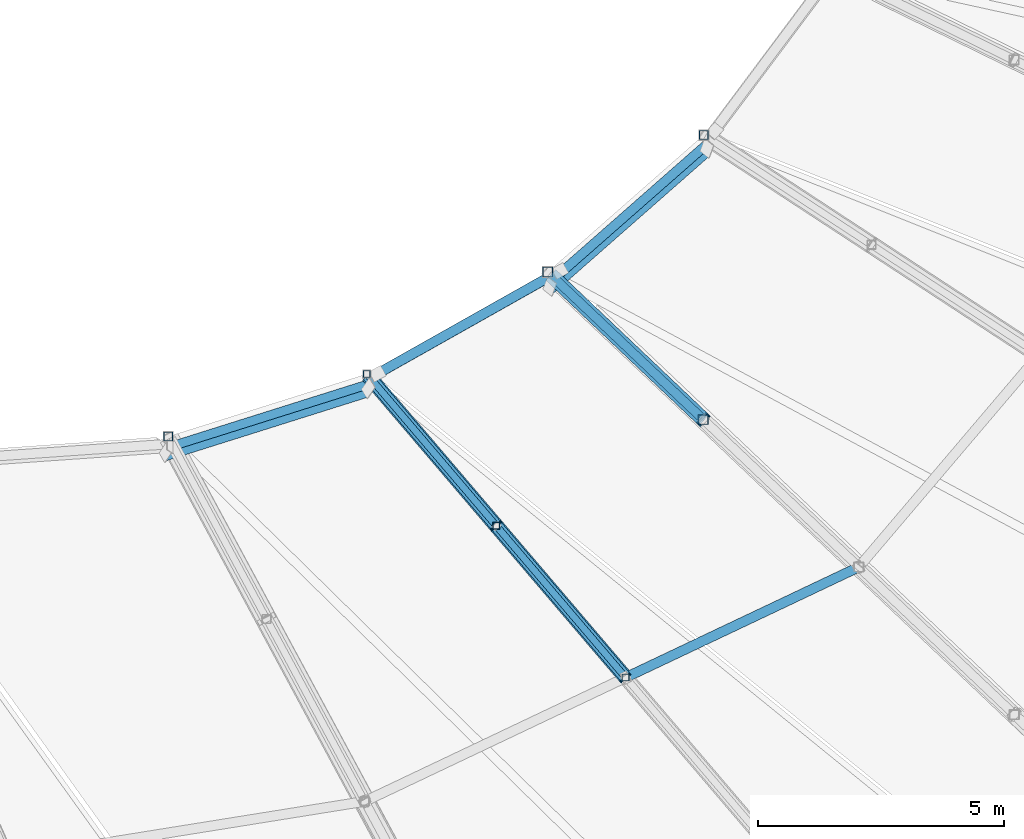
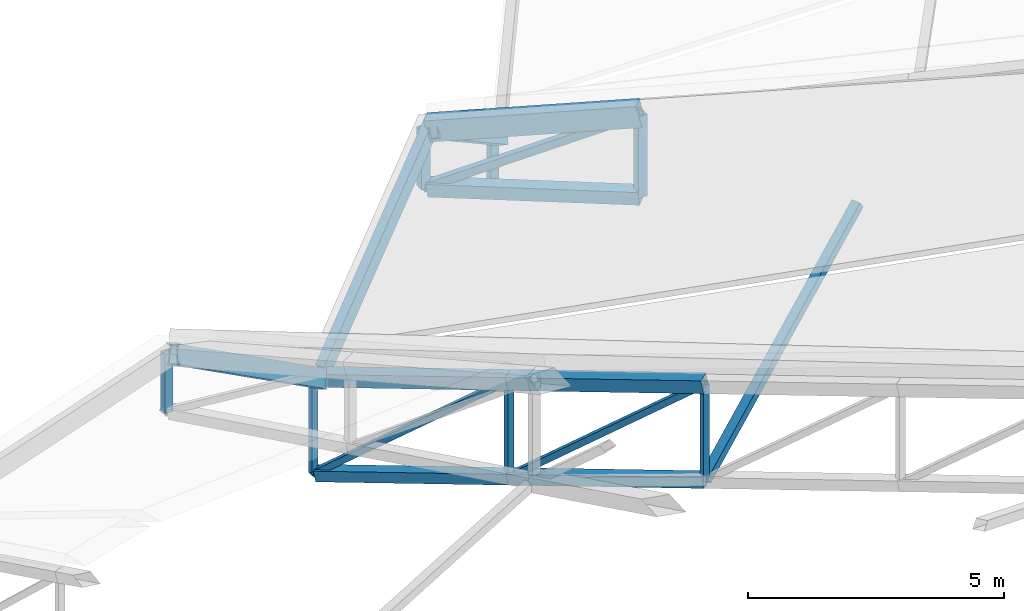
# One storey, part 83 of 344: 17 members, 3 beams.
"""IFC4 building model written with IfcOpenShell, lengths in metres."""

from ifc_helpers import new_model, si_unit, direction, frame, origin, origin_2d, place, context, subcontext, project, spatial, hollow_rectangle, extrude, material, material_profile, profile_set, type_object, element, save


model = new_model("IFC4")

# Units and contexts
model_context = context("Model", 3, precision=1e-05, world=origin(), true_north=direction((0.0, 1.0)))
body_context = subcontext(model_context, "Body", "Model", "MODEL_VIEW")
ifc_project = project(units=[si_unit("LENGTHUNIT", "METRE"), si_unit("AREAUNIT", "SQUARE_METRE"), si_unit("VOLUMEUNIT", "CUBIC_METRE"), si_unit("PLANEANGLEUNIT", "RADIAN"), si_unit("MASSUNIT", "GRAM", prefix="KILO")], contexts=[model_context])

# Site, building, storey
site_placement = place(None, origin())
site = spatial("IfcSite", under=ifc_project, at=site_placement, CompositionType="ELEMENT")
building_placement = place(site_placement, origin())
building = spatial("IfcBuilding", under=site, at=building_placement, Name="Meseta Stadium", CompositionType="ELEMENT")
storey_placement = place(building_placement, frame((0.0, 0.0, 24.0)))
storey = spatial("IfcBuildingStorey", under=building, at=storey_placement, Name="L04", CompositionType="ELEMENT", Elevation=24.0)

# Beams
ifc_material_1 = material(Name="Steel S355", Category="steel")
ifc_material_profile_1 = material_profile(ifc_material_1, hollow_rectangle(XDim=0.199951171875, YDim=0.39990234375, WallThickness=0.01611328125, at=origin_2d()), Name="RHS 400x200x16")
ifc_profile_set_1 = profile_set([ifc_material_profile_1], Name="Steel S355")
beam_type = type_object("IfcBeamType", Name="RHS 400x200x16 tip ring beam", PredefinedType="BEAM", material=ifc_profile_set_1)
beam_1_placement = place(storey_placement, frame((30.645751953125, -65.4140625, 3.492919921875), z_axis=(0.799095724949, 0.251770537172, -0.54594653491), x_axis=(-0.480828392097, 0.81276404936, -0.32896604296)))
element("IfcBeam", 1, at=beam_1_placement, inside=storey, type_object=beam_type, Name="TIP RING BEAM 51", PredefinedType="BEAM", context=body_context, shape_type="SweptSolid", body=[
    extrude(hollow_rectangle(XDim=0.199951171875, YDim=0.39990234375, WallThickness=0.01611328125, at=origin_2d()), origin(), (0.0, 0.0, 1.0), 5.135498046875),
])
beam_2_placement = place(storey_placement, frame((34.941650390625, -63.822509765625, 0.665771484375), z_axis=(0.680193224368, 0.383153067773, 0.62492471881), x_axis=(-0.487084675423, 0.873338681579, -0.005297756731)))
element("IfcBeam", 2, at=beam_2_placement, inside=storey, type_object=beam_type, Name="TIP RING BEAM 52", PredefinedType="BEAM", context=body_context, shape_type="SweptSolid", body=[
    extrude(hollow_rectangle(XDim=0.199951171875, YDim=0.39990234375, WallThickness=0.01611328125, at=origin_2d()), origin(), (0.0, 0.0, 1.0), 5.437744140625),
])
beam_3_placement = place(storey_placement, frame((38.456298828125, -62.0361328125, 4.0947265625), z_axis=(0.615345176385, 0.540726437381, -0.573554909155), x_axis=(-0.759396114, 0.601747460193, -0.247421777927)))
element("IfcBeam", 3, at=beam_3_placement, inside=storey, type_object=beam_type, Name="TIP RING BEAM 53", PredefinedType="BEAM", context=body_context, shape_type="SweptSolid", body=[
    extrude(hollow_rectangle(XDim=0.199951171875, YDim=0.39990234375, WallThickness=0.01611328125, at=origin_2d()), origin(), (0.0, 0.0, 1.0), 5.176025390625),
])

# Members
ifc_material_2 = material(Name="Steel S355", Category="steel")
ifc_material_profile_2 = material_profile(ifc_material_2, hollow_rectangle(XDim=0.300048828125, YDim=0.5, WallThickness=0.01611328125, at=origin_2d()), Name="RHS 500x300x16")
ifc_profile_set_2 = profile_set([ifc_material_profile_2], Name="Steel S355")
member_type_1 = type_object("IfcMemberType", Name="RHS 500x300x16 top chord", PredefinedType="CHORD", material=ifc_profile_set_2)
member_1_placement = place(storey_placement, frame((38.4765625, -61.819091796875, 3.982177734375), z_axis=(0.704897663376, -0.668535218838, 0.237023090312), x_axis=(0.688144575089, 0.725573596388, 0.0)))
element("IfcMember", 4, at=member_1_placement, inside=storey, type_object=member_type_1, Name="ROOF TRUSS RT-52 top chord", PredefinedType="CHORD", context=body_context, shape_type="SweptSolid", body=[
    extrude(hollow_rectangle(XDim=0.300048828125, YDim=0.5, WallThickness=0.01611328125, at=origin_2d()), origin(), (0.0, 0.0, 1.0), 4.39111328125),
])
ifc_material_3 = material(Name="Steel S355", Category="steel")
ifc_material_profile_3 = material_profile(ifc_material_3, hollow_rectangle(XDim=0.139892578125, YDim=0.139892578125, WallThickness=0.0048828125, at=origin_2d()), Name="SHS 140x140x5")
ifc_profile_set_3 = profile_set([ifc_material_profile_3], Name="Steel S355")
member_type_2 = type_object("IfcMemberType", Name="SHS 140x140x5 diagonal", PredefinedType="BRACE", material=ifc_profile_set_3)
for number, where, z_axis, x_axis, name in (
    (5, (34.722412109375, -63.827392578125, -1.733642578125), (0.51129008099, -0.599561179209, 0.615718154245), (0.760896819388, 0.64887289221, 0.0), "ROOF TRUSS RT-51 diagonal"),
    (6, (37.35693359375, -66.916748046875, -0.861083984375), (0.511354517363, -0.59953379431, 0.615691308248), (0.760841810831, 0.64893739212, 0.0), "ROOF TRUSS RT-51 diagonal"),
):
    element("IfcMember", number, at=place(storey_placement, frame(where, z_axis=z_axis, x_axis=x_axis)), inside=storey, type_object=member_type_2, Name=name, PredefinedType="BRACE", context=body_context, shape_type="SweptSolid", body=[
        extrude(hollow_rectangle(XDim=0.139892578125, YDim=0.139892578125, WallThickness=0.0048828125, at=origin_2d()), origin(), (0.0, 0.0, 1.0), 5.152587890625),
    ])
ifc_material_4 = material(Name="Steel S355", Category="steel")
ifc_material_profile_4 = material_profile(ifc_material_4, hollow_rectangle(XDim=0.139892578125, YDim=0.139892578125, WallThickness=0.0048828125, at=origin_2d()), Name="SHS 140x140x5")
ifc_profile_set_4 = profile_set([ifc_material_profile_4], Name="Steel S355")
member_type_3 = type_object("IfcMemberType", Name="SHS 140x140x5 post", PredefinedType="POST", material=ifc_profile_set_4)
for number, where, z_axis, x_axis, name in (
    (7, (37.35693359375, -66.916748046875, -0.861083984375), (0.0, 0.0, 1.0), (1.0, 0.0, 0.0), "ROOF TRUSS RT-51 post"),
    (8, (39.99169921875, -70.005859375, 0.01123046875), (0.0, 0.0, 1.0), (1.0, 0.0, 0.0), "ROOF TRUSS RT-51 post"),
):
    element("IfcMember", number, at=place(storey_placement, frame(where, z_axis=z_axis, x_axis=x_axis)), inside=storey, type_object=member_type_3, Name=name, PredefinedType="POST", context=body_context, shape_type="SweptSolid", body=[
        extrude(hollow_rectangle(XDim=0.139892578125, YDim=0.139892578125, WallThickness=0.0048828125, at=origin_2d()), origin(), (0.0, 0.0, 1.0), 2.300048828125),
    ])
ifc_material_5 = material(Name="Steel S355", Category="steel")
ifc_material_profile_5 = material_profile(ifc_material_5, hollow_rectangle(XDim=0.139892578125, YDim=0.139892578125, WallThickness=0.0048828125, at=origin_2d()), Name="SHS 140x140x5")
ifc_profile_set_5 = profile_set([ifc_material_profile_5], Name="Steel S355")
member_type_4 = type_object("IfcMemberType", Name="SHS 140x140x5 rim post", PredefinedType="POST", material=ifc_profile_set_5)
member_2_placement = place(storey_placement, frame((34.722412109375, -63.827392578125, -1.733642578125), z_axis=(0.0, 0.0, 1.0), x_axis=(1.0, 0.0, 0.0)))
element("IfcMember", 9, at=member_2_placement, inside=storey, type_object=member_type_4, Name="ROOF TRUSS RT-51 post", PredefinedType="POST", context=body_context, shape_type="SweptSolid", body=[
    extrude(hollow_rectangle(XDim=0.139892578125, YDim=0.139892578125, WallThickness=0.0048828125, at=origin_2d()), origin(), (0.0, 0.0, 1.0), 2.300048828125),
])
ifc_material_6 = material(Name="Steel S355", Category="steel")
ifc_material_profile_6 = material_profile(ifc_material_6, hollow_rectangle(XDim=0.179931640625, YDim=0.179931640625, WallThickness=0.00634765625, at=origin_2d()), Name="SHS 180x180x6.3")
ifc_profile_set_6 = profile_set([ifc_material_profile_6], Name="Steel S355")
member_type_5 = type_object("IfcMemberType", Name="SHS 180x180x6.3 diagonal", PredefinedType="BRACE", material=ifc_profile_set_6)
member_3_placement = place(storey_placement, frame((38.40625, -61.752197265625, 2.55859375), z_axis=(0.631739033936, -0.59919224428, 0.491807327514), x_axis=(0.688169809663, 0.725549662717, 0.0)))
element("IfcMember", 10, at=member_3_placement, inside=storey, type_object=member_type_5, Name="ROOF TRUSS RT-52 diagonal", PredefinedType="BRACE", context=body_context, shape_type="SweptSolid", body=[
    extrude(hollow_rectangle(XDim=0.179931640625, YDim=0.179931640625, WallThickness=0.00634765625, at=origin_2d()), origin(), (0.0, 0.0, 1.0), 5.0107421875),
])
ifc_material_7 = material(Name="Steel S355", Category="steel")
ifc_material_profile_7 = material_profile(ifc_material_7, hollow_rectangle(XDim=0.179931640625, YDim=0.179931640625, WallThickness=0.00634765625, at=origin_2d()), Name="SHS 180x180x6.3")
ifc_profile_set_7 = profile_set([ifc_material_profile_7], Name="Steel S355")
member_type_6 = type_object("IfcMemberType", Name="SHS 180x180x6.3 rim post", PredefinedType="POST", material=ifc_profile_set_7)
member_4_placement = place(storey_placement, frame((30.68212890625, -65.100341796875, 1.9443359375), z_axis=(0.0, 0.0, 1.0), x_axis=(1.0, 0.0, 0.0)))
element("IfcMember", 11, at=member_4_placement, inside=storey, type_object=member_type_6, Name="ROOF TRUSS RT-50 post", PredefinedType="POST", context=body_context, shape_type="SweptSolid", body=[
    extrude(hollow_rectangle(XDim=0.179931640625, YDim=0.179931640625, WallThickness=0.00634765625, at=origin_2d()), origin(), (0.0, 0.0, 1.0), 1.400146484375),
])
member_5_placement = place(storey_placement, frame((41.57958984375, -58.963623046875, -0.331298828125), z_axis=(0.0, 0.0, 1.0), x_axis=(1.0, 0.0, 0.0)))
element("IfcMember", 12, at=member_5_placement, inside=storey, type_object=member_type_6, Name="ROOF TRUSS RT-53 post", PredefinedType="POST", context=body_context, shape_type="SweptSolid", body=[
    extrude(hollow_rectangle(XDim=0.179931640625, YDim=0.179931640625, WallThickness=0.00634765625, at=origin_2d()), origin(), (0.0, 0.0, 1.0), 1.300048828125),
])
ifc_material_8 = material(Name="Steel S355", Category="steel")
ifc_material_profile_8 = material_profile(ifc_material_8, hollow_rectangle(XDim=0.199951171875, YDim=0.199951171875, WallThickness=0.008056640625, at=origin_2d()), Name="SHS 200x200x8")
ifc_profile_set_8 = profile_set([ifc_material_profile_8], Name="Steel S355")
member_type_7 = type_object("IfcMemberType", Name="SHS 200x200x8 post", PredefinedType="POST", material=ifc_profile_set_8)
member_6_placement = place(storey_placement, frame((41.57177734375, -64.754638671875, 3.07080078125), z_axis=(0.0, 0.0, 1.0), x_axis=(1.0, 0.0, 0.0)))
element("IfcMember", 13, at=member_6_placement, inside=storey, type_object=member_type_7, Name="ROOF TRUSS RT-52 post", PredefinedType="POST", context=body_context, shape_type="SweptSolid", body=[
    extrude(hollow_rectangle(XDim=0.199951171875, YDim=0.199951171875, WallThickness=0.008056640625, at=origin_2d()), origin(), (0.0, 0.0, 1.0), 1.9521484375),
])
ifc_material_9 = material(Name="Steel S355", Category="steel")
ifc_material_profile_9 = material_profile(ifc_material_9, hollow_rectangle(XDim=0.199951171875, YDim=0.199951171875, WallThickness=0.008056640625, at=origin_2d()), Name="SHS 200x200x8")
ifc_profile_set_9 = profile_set([ifc_material_profile_9], Name="Steel S355")
member_type_8 = type_object("IfcMemberType", Name="SHS 200x200x8 rim post", PredefinedType="POST", material=ifc_profile_set_9)
member_7_placement = place(storey_placement, frame((38.40625, -61.752197265625, 2.55859375), z_axis=(0.0, 0.0, 1.0), x_axis=(1.0, 0.0, 0.0)))
element("IfcMember", 14, at=member_7_placement, inside=storey, type_object=member_type_8, Name="ROOF TRUSS RT-52 post", PredefinedType="POST", context=body_context, shape_type="SweptSolid", body=[
    extrude(hollow_rectangle(XDim=0.199951171875, YDim=0.199951171875, WallThickness=0.008056640625, at=origin_2d()), origin(), (0.0, 0.0, 1.0), 1.39990234375),
])
ifc_material_10 = material(Name="Steel S355", Category="steel")
ifc_material_profile_10 = material_profile(ifc_material_10, hollow_rectangle(XDim=0.199951171875, YDim=0.199951171875, WallThickness=0.008056640625, at=origin_2d()), Name="SHS 200x200x8")
ifc_profile_set_10 = profile_set([ifc_material_profile_10], Name="Steel S355")
member_type_9 = type_object("IfcMemberType", Name="SHS 200x200x8 strut", PredefinedType="STRUT", material=ifc_profile_set_10)
member_8_placement = place(storey_placement, frame((39.99169921875, -70.005859375, 0.01123046875), z_axis=(0.747193853517, 0.354107921525, 0.562413482396), x_axis=(-0.428258199663, 0.903656413922, 0.0)))
element("IfcMember", 15, at=member_8_placement, inside=storey, type_object=member_type_9, Name="ROOF TRUSS STRUT RT-51/52", PredefinedType="STRUT", context=body_context, shape_type="SweptSolid", body=[
    extrude(hollow_rectangle(XDim=0.199951171875, YDim=0.199951171875, WallThickness=0.008056640625, at=origin_2d()), origin(), (0.0, 0.0, 1.0), 6.351318359375),
])
ifc_material_11 = material(Name="Steel S355", Category="steel")
ifc_material_profile_11 = material_profile(ifc_material_11, hollow_rectangle(XDim=0.25, YDim=0.25, WallThickness=0.010009765625, at=origin_2d()), Name="SHS 250x250x10")
ifc_profile_set_11 = profile_set([ifc_material_profile_11], Name="Steel S355")
member_type_10 = type_object("IfcMemberType", Name="SHS 250x250x10 bottom chord", PredefinedType="CHORD", material=ifc_profile_set_11)
member_9_placement = place(storey_placement, frame((34.766845703125, -63.87939453125, -1.71875), z_axis=(0.634382356609, -0.743929767044, 0.210065531037), x_axis=(0.760907665245, 0.648860173667, 0.0)))
element("IfcMember", 16, at=member_9_placement, inside=storey, type_object=member_type_10, Name="ROOF TRUSS RT-51 bottom chord", PredefinedType="CHORD", context=body_context, shape_type="SweptSolid", body=[
    extrude(hollow_rectangle(XDim=0.25, YDim=0.25, WallThickness=0.010009765625, at=origin_2d()), origin(), (0.0, 0.0, 1.0), 4.082763671875),
])
member_10_placement = place(storey_placement, frame((37.35693359375, -66.916748046875, -0.861083984375), z_axis=(0.634459201968, -0.74386696465, 0.210055849577), x_axis=(0.760841810831, 0.64893739212, 0.0)))
element("IfcMember", 17, at=member_10_placement, inside=storey, type_object=member_type_10, Name="ROOF TRUSS RT-51 bottom chord", PredefinedType="CHORD", context=body_context, shape_type="SweptSolid", body=[
    extrude(hollow_rectangle(XDim=0.25, YDim=0.25, WallThickness=0.010009765625, at=origin_2d()), origin(), (0.0, 0.0, 1.0), 4.15283203125),
])
ifc_material_12 = material(Name="Steel S355", Category="steel")
ifc_material_profile_12 = material_profile(ifc_material_12, hollow_rectangle(XDim=0.300048828125, YDim=0.300048828125, WallThickness=0.010009765625, at=origin_2d()), Name="SHS 300x300x10")
ifc_profile_set_12 = profile_set([ifc_material_profile_12], Name="Steel S355")
member_type_11 = type_object("IfcMemberType", Name="SHS 300x300x10 bottom chord", PredefinedType="CHORD", material=ifc_profile_set_12)
member_11_placement = place(storey_placement, frame((38.478271484375, -61.820556640625, 2.5703125), z_axis=(0.720607583037, -0.683471070392, 0.116584764046), x_axis=(0.688163834872, 0.725555329644, 0.0)))
element("IfcMember", 18, at=member_11_placement, inside=storey, type_object=member_type_11, Name="ROOF TRUSS RT-52 bottom chord", PredefinedType="CHORD", context=body_context, shape_type="SweptSolid", body=[
    extrude(hollow_rectangle(XDim=0.300048828125, YDim=0.300048828125, WallThickness=0.010009765625, at=origin_2d()), origin(), (0.0, 0.0, 1.0), 4.29296875),
])
ifc_material_13 = material(Name="Steel S355", Category="steel")
ifc_material_profile_13 = material_profile(ifc_material_13, hollow_rectangle(XDim=0.300048828125, YDim=0.300048828125, WallThickness=0.010009765625, at=origin_2d()), Name="SHS 300x300x10")
ifc_profile_set_13 = profile_set([ifc_material_profile_13], Name="Steel S355")
member_type_12 = type_object("IfcMemberType", Name="SHS 300x300x10 top chord", PredefinedType="CHORD", material=ifc_profile_set_13)
member_12_placement = place(storey_placement, frame((34.766845703125, -63.87939453125, 0.581298828125), z_axis=(0.634382356609, -0.743929767044, 0.210065531037), x_axis=(0.760907665245, 0.648860173667, 0.0)))
element("IfcMember", 19, at=member_12_placement, inside=storey, type_object=member_type_12, Name="ROOF TRUSS RT-51 top chord", PredefinedType="CHORD", context=body_context, shape_type="SweptSolid", body=[
    extrude(hollow_rectangle(XDim=0.300048828125, YDim=0.300048828125, WallThickness=0.010009765625, at=origin_2d()), origin(), (0.0, 0.0, 1.0), 4.082763671875),
])
member_13_placement = place(storey_placement, frame((37.35693359375, -66.916748046875, 1.43896484375), z_axis=(0.634459201968, -0.74386696465, 0.210055849577), x_axis=(0.760841810831, 0.64893739212, 0.0)))
element("IfcMember", 20, at=member_13_placement, inside=storey, type_object=member_type_12, Name="ROOF TRUSS RT-51 top chord", PredefinedType="CHORD", context=body_context, shape_type="SweptSolid", body=[
    extrude(hollow_rectangle(XDim=0.300048828125, YDim=0.300048828125, WallThickness=0.010009765625, at=origin_2d()), origin(), (0.0, 0.0, 1.0), 4.15283203125),
])

save(model, "model.ifc")
